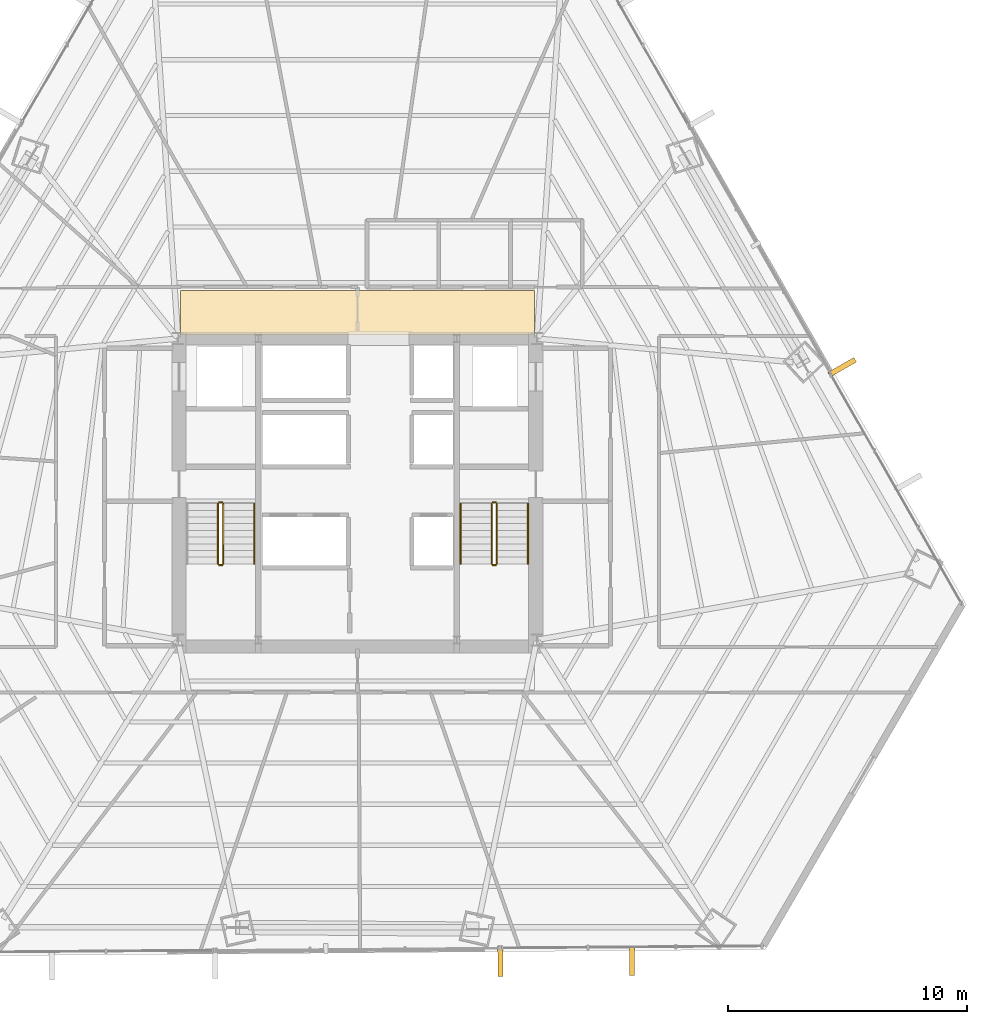
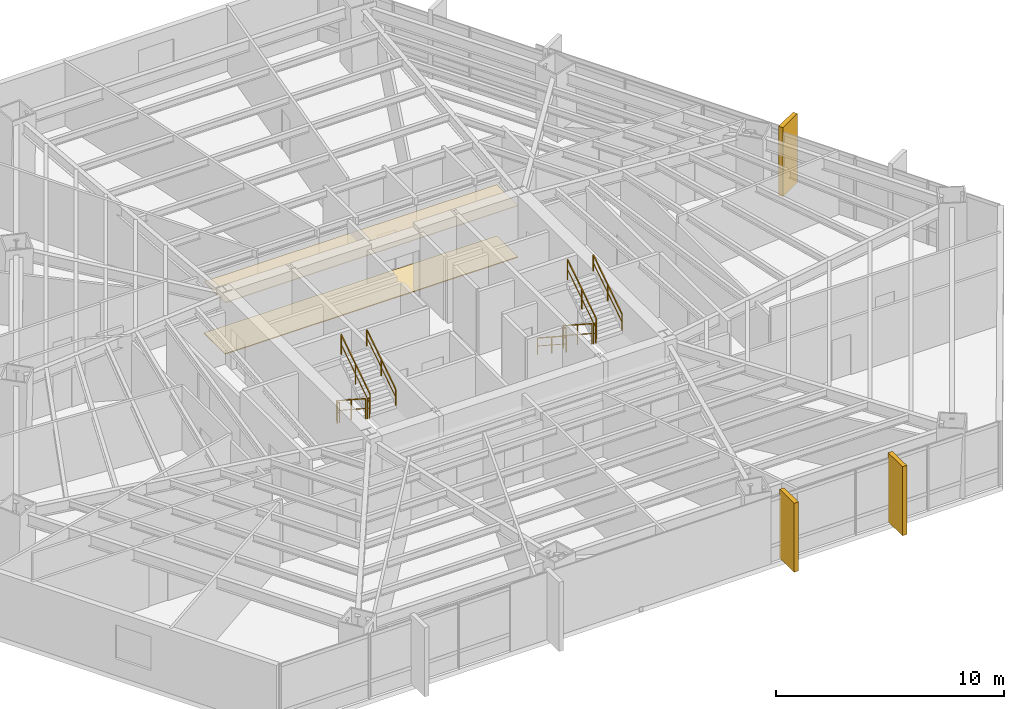
# One storey, part 34 of 35: 11 railings, 5 coverings.
"""IFC4 building model written with IfcOpenShell, lengths in metres."""

from ifc_helpers import new_model, si_unit, direction, frame, origin, origin_2d, place, context, subcontext, project, spatial, polyline, rectangle, outline, extrude, source, transform, mapped, material, layer, layer_set, type_object, type_shapes, element, save


model = new_model("IFC4")

# Units and contexts
model_context = context("Model", 3, precision=1e-05, world=origin(), true_north=direction((0.0, 1.0)))
body_context = subcontext(model_context, "Body", "Model", "MODEL_VIEW")
ifc_project = project(units=[si_unit("LENGTHUNIT", "METRE"), si_unit("AREAUNIT", "SQUARE_METRE"), si_unit("VOLUMEUNIT", "CUBIC_METRE"), si_unit("PLANEANGLEUNIT", "RADIAN"), si_unit("MASSUNIT", "GRAM", prefix="KILO")], contexts=[model_context])

# Site, building, storey
site_placement = place(None, origin())
site = spatial("IfcSite", under=ifc_project, at=site_placement, CompositionType="ELEMENT")
building_placement = place(site_placement, origin())
building = spatial("IfcBuilding", under=site, at=building_placement, Name="Caelisora Broadcast Tower", CompositionType="ELEMENT")
storey_placement = place(building_placement, frame((0.0, 0.0, 53.14990234375)))
storey = spatial("IfcBuildingStorey", under=building, at=storey_placement, Name="L13", CompositionType="ELEMENT", Elevation=53.14990234375)

# Coverings
ifc_material_1 = material(Name="Perforated Mineral-Fibre Acoustic Ceiling Tile", Category="gypsum")
ifc_layer_1 = layer(ifc_material_1, 0.034912109375, Name="Perforated Mineral-Fibre Acoustic Ceiling Tile")
ifc_layer_set_1 = layer_set([ifc_layer_1], Name="Perforated Mineral-Fibre Acoustic Ceiling Tile")
covering_type_1 = type_object("IfcCoveringType", Name="CE-1", PredefinedType="CEILING", material=ifc_layer_set_1)
covering_1_placement = place(storey_placement, frame((0.0, 0.0, 2.75)))
element("IfcCovering", 1, at=covering_1_placement, inside=storey, type_object=covering_type_1, Name="L13 acoustic corridor ceiling CE-1 (N)", PredefinedType="CEILING", context=body_context, shape_type="SweptSolid", body=[
    extrude(outline(polyline([(30.60009765625, 30.14990234375), (45.39990234375, 30.14990234375), (45.39990234375, 32.0), (30.60009765625, 32.0), (30.60009765625, 30.14990234375)])), origin(), (0.0, 0.0, 1.0), 0.03515625),
])
ifc_material_2 = material(Name="Anti-Static Broadcast Raised Access Floor Panel", Category="steel")
ifc_layer_2 = layer(ifc_material_2, 0.044921875, Name="Anti-Static Broadcast Raised Access Floor Panel")
ifc_layer_set_2 = layer_set([ifc_layer_2], Name="Anti-Static Broadcast Raised Access Floor Panel")
covering_type_2 = type_object("IfcCoveringType", Name="FL-1", PredefinedType="FLOORING", material=ifc_layer_set_2)
covering_2_placement = place(storey_placement, origin())
element("IfcCovering", 2, at=covering_2_placement, inside=storey, type_object=covering_type_2, Name="L13 broadcast raised access floor FL-1 (N)", PredefinedType="FLOORING", context=body_context, shape_type="SweptSolid", body=[
    extrude(outline(polyline([(30.60009765625, 30.14990234375), (45.39990234375, 30.14990234375), (45.39990234375, 32.0), (30.60009765625, 32.0), (30.60009765625, 30.14990234375)])), origin(), (0.0, 0.0, 1.0), 0.045166015625),
])

# Railings
ifc_material_3 = material(Name="Galvanised Steel Safety Guardrail", Category="steel")
ifc_layer_3 = layer(ifc_material_3, 0.048095703125, Name="Galvanised Steel Safety Guardrail")
ifc_layer_set_3 = layer_set([ifc_layer_3], Name="Galvanised Steel Safety Guardrail")
railing_type_1 = type_object("IfcRailingType", Name="GR-1", PredefinedType="GUARDRAIL", material=ifc_layer_set_3)
railing_1_placement = place(storey_placement, frame((32.169921875, 23.10009765625, 0.1826171875)))
element("IfcRailing", 3, at=railing_1_placement, inside=storey, type_object=railing_type_1, Name="L13 ST-1 stair guard 1", PredefinedType="GUARDRAIL", context=body_context, shape_type="SweptSolid", body=[
    extrude(rectangle(XDim=0.048095703125, YDim=0.048095703125, at=origin_2d()), frame((0.0, 0.0, 1.076171875), z_axis=(0.0, -0.837749427056, 0.546054848405), x_axis=(1.0, 0.0, 0.0)), (0.0, 0.0, 1.0), 3.008056640625),
    extrude(rectangle(XDim=0.03125, YDim=0.03125, at=origin_2d()), frame((0.0, 0.0, 0.550048828125), z_axis=(0.0, -0.837749427056, 0.546054848405), x_axis=(1.0, 0.0, 0.0)), (0.0, 0.0, 1.0), 3.008056640625),
    extrude(rectangle(XDim=0.0419921875, YDim=0.0419921875, at=origin_2d()), origin(), (0.0, 0.0, 1.0), 1.052001953125),
    extrude(rectangle(XDim=0.0419921875, YDim=0.0419921875, at=origin_2d()), frame((0.0, -1.260009765625, 0.8212890625)), (0.0, 0.0, 1.0), 1.052001953125),
    extrude(rectangle(XDim=0.0419921875, YDim=0.0419921875, at=origin_2d()), frame((0.0, -2.52001953125, 1.642578125)), (0.0, 0.0, 1.0), 1.052001953125),
])
railing_2_placement = place(storey_placement, frame((32.219970703125, 20.530029296875, 1.8251953125)))
element("IfcRailing", 4, at=railing_2_placement, inside=storey, type_object=railing_type_1, Name="L13 ST-1 stair guard 2", PredefinedType="GUARDRAIL", context=body_context, shape_type="SweptSolid", body=[
    extrude(rectangle(XDim=0.048095703125, YDim=0.048095703125, at=origin_2d()), frame((0.0, 0.0, 1.076171875), z_axis=(1.0, 0.0, 0.0), x_axis=(0.0, 1.0, 0.0)), (0.0, 0.0, 1.0), 0.1201171875),
    extrude(rectangle(XDim=0.03125, YDim=0.03125, at=origin_2d()), frame((0.0, 0.0, 0.550048828125), z_axis=(1.0, 0.0, 0.0), x_axis=(0.0, 1.0, 0.0)), (0.0, 0.0, 1.0), 0.1201171875),
    extrude(rectangle(XDim=0.0419921875, YDim=0.0419921875, at=origin_2d()), origin(), (0.0, 0.0, 1.0), 1.052001953125),
    extrude(rectangle(XDim=0.0419921875, YDim=0.0419921875, at=origin_2d()), frame((0.1201171875, 0.0, 0.0)), (0.0, 0.0, 1.0), 1.052001953125),
])
railing_3_placement = place(storey_placement, frame((32.389892578125, 20.580078125, 2.007568359375)))
element("IfcRailing", 5, at=railing_3_placement, inside=storey, type_object=railing_type_1, Name="L13 ST-1 stair guard 3", PredefinedType="GUARDRAIL", context=body_context, shape_type="SweptSolid", body=[
    extrude(rectangle(XDim=0.048095703125, YDim=0.048095703125, at=origin_2d()), frame((0.0, 0.0, 1.076171875), z_axis=(0.0, 0.837749427056, 0.546054848405), x_axis=(-1.0, 0.0, 0.0)), (0.0, 0.0, 1.0), 3.008056640625),
    extrude(rectangle(XDim=0.03125, YDim=0.03125, at=origin_2d()), frame((0.0, 0.0, 0.550048828125), z_axis=(0.0, 0.837749427056, 0.546054848405), x_axis=(-1.0, 0.0, 0.0)), (0.0, 0.0, 1.0), 3.008056640625),
    extrude(rectangle(XDim=0.0419921875, YDim=0.0419921875, at=origin_2d()), origin(), (0.0, 0.0, 1.0), 1.052001953125),
    extrude(rectangle(XDim=0.0419921875, YDim=0.0419921875, at=origin_2d()), frame((0.0, 1.260009765625, 0.8212890625)), (0.0, 0.0, 1.0), 1.052001953125),
    extrude(rectangle(XDim=0.0419921875, YDim=0.0419921875, at=origin_2d()), frame((0.0, 2.52001953125, 1.642578125)), (0.0, 0.0, 1.0), 1.052001953125),
])
railing_4_placement = place(storey_placement, frame((32.219970703125, 23.14990234375, 0.0)))
element("IfcRailing", 6, at=railing_4_placement, inside=storey, type_object=railing_type_1, Name="L13 ST-1 stair guard 4", PredefinedType="GUARDRAIL", context=body_context, shape_type="SweptSolid", body=[
    extrude(rectangle(XDim=0.048095703125, YDim=0.048095703125, at=origin_2d()), frame((0.0, 0.0, 1.076171875), z_axis=(1.0, 0.0, 0.0), x_axis=(0.0, 1.0, 0.0)), (0.0, 0.0, 1.0), 0.1201171875),
    extrude(rectangle(XDim=0.03125, YDim=0.03125, at=origin_2d()), frame((0.0, 0.0, 0.550048828125), z_axis=(1.0, 0.0, 0.0), x_axis=(0.0, 1.0, 0.0)), (0.0, 0.0, 1.0), 0.1201171875),
    extrude(rectangle(XDim=0.0419921875, YDim=0.0419921875, at=origin_2d()), origin(), (0.0, 0.0, 1.0), 1.052001953125),
    extrude(rectangle(XDim=0.0419921875, YDim=0.0419921875, at=origin_2d()), frame((0.1201171875, 0.0, 0.0)), (0.0, 0.0, 1.0), 1.052001953125),
])
railing_5_placement = place(storey_placement, frame((43.610107421875, 23.10009765625, 0.1826171875)))
element("IfcRailing", 7, at=railing_5_placement, inside=storey, type_object=railing_type_1, Name="L13 ST-2 stair guard 1", PredefinedType="GUARDRAIL", context=body_context, shape_type="SweptSolid", body=[
    extrude(rectangle(XDim=0.048095703125, YDim=0.048095703125, at=origin_2d()), frame((0.0, 0.0, 1.076171875), z_axis=(0.0, -0.837749427056, 0.546054848405), x_axis=(1.0, 0.0, 0.0)), (0.0, 0.0, 1.0), 3.008056640625),
    extrude(rectangle(XDim=0.03125, YDim=0.03125, at=origin_2d()), frame((0.0, 0.0, 0.550048828125), z_axis=(0.0, -0.837749427056, 0.546054848405), x_axis=(1.0, 0.0, 0.0)), (0.0, 0.0, 1.0), 3.008056640625),
    extrude(rectangle(XDim=0.0419921875, YDim=0.0419921875, at=origin_2d()), origin(), (0.0, 0.0, 1.0), 1.052001953125),
    extrude(rectangle(XDim=0.0419921875, YDim=0.0419921875, at=origin_2d()), frame((0.0, -1.260009765625, 0.8212890625)), (0.0, 0.0, 1.0), 1.052001953125),
    extrude(rectangle(XDim=0.0419921875, YDim=0.0419921875, at=origin_2d()), frame((0.0, -2.52001953125, 1.642578125)), (0.0, 0.0, 1.0), 1.052001953125),
])
railing_6_placement = place(storey_placement, frame((43.659912109375, 20.530029296875, 1.8251953125)))
element("IfcRailing", 8, at=railing_6_placement, inside=storey, type_object=railing_type_1, Name="L13 ST-2 stair guard 2", PredefinedType="GUARDRAIL", context=body_context, shape_type="SweptSolid", body=[
    extrude(rectangle(XDim=0.048095703125, YDim=0.048095703125, at=origin_2d()), frame((0.0, 0.0, 1.076171875), z_axis=(1.0, 0.0, 0.0), x_axis=(0.0, 1.0, 0.0)), (0.0, 0.0, 1.0), 0.1201171875),
    extrude(rectangle(XDim=0.03125, YDim=0.03125, at=origin_2d()), frame((0.0, 0.0, 0.550048828125), z_axis=(1.0, 0.0, 0.0), x_axis=(0.0, 1.0, 0.0)), (0.0, 0.0, 1.0), 0.1201171875),
    extrude(rectangle(XDim=0.0419921875, YDim=0.0419921875, at=origin_2d()), origin(), (0.0, 0.0, 1.0), 1.052001953125),
    extrude(rectangle(XDim=0.0419921875, YDim=0.0419921875, at=origin_2d()), frame((0.1201171875, 0.0, 0.0)), (0.0, 0.0, 1.0), 1.052001953125),
])
railing_7_placement = place(storey_placement, frame((43.830078125, 20.580078125, 2.007568359375)))
element("IfcRailing", 9, at=railing_7_placement, inside=storey, type_object=railing_type_1, Name="L13 ST-2 stair guard 3", PredefinedType="GUARDRAIL", context=body_context, shape_type="SweptSolid", body=[
    extrude(rectangle(XDim=0.048095703125, YDim=0.048095703125, at=origin_2d()), frame((0.0, 0.0, 1.076171875), z_axis=(0.0, 0.837749427056, 0.546054848405), x_axis=(-1.0, 0.0, 0.0)), (0.0, 0.0, 1.0), 3.008056640625),
    extrude(rectangle(XDim=0.03125, YDim=0.03125, at=origin_2d()), frame((0.0, 0.0, 0.550048828125), z_axis=(0.0, 0.837749427056, 0.546054848405), x_axis=(-1.0, 0.0, 0.0)), (0.0, 0.0, 1.0), 3.008056640625),
    extrude(rectangle(XDim=0.0419921875, YDim=0.0419921875, at=origin_2d()), origin(), (0.0, 0.0, 1.0), 1.052001953125),
    extrude(rectangle(XDim=0.0419921875, YDim=0.0419921875, at=origin_2d()), frame((0.0, 1.260009765625, 0.8212890625)), (0.0, 0.0, 1.0), 1.052001953125),
    extrude(rectangle(XDim=0.0419921875, YDim=0.0419921875, at=origin_2d()), frame((0.0, 2.52001953125, 1.642578125)), (0.0, 0.0, 1.0), 1.052001953125),
])
railing_8_placement = place(storey_placement, frame((43.659912109375, 23.14990234375, 0.0)))
element("IfcRailing", 10, at=railing_8_placement, inside=storey, type_object=railing_type_1, Name="L13 ST-2 stair guard 4", PredefinedType="GUARDRAIL", context=body_context, shape_type="SweptSolid", body=[
    extrude(rectangle(XDim=0.048095703125, YDim=0.048095703125, at=origin_2d()), frame((0.0, 0.0, 1.076171875), z_axis=(1.0, 0.0, 0.0), x_axis=(0.0, 1.0, 0.0)), (0.0, 0.0, 1.0), 0.1201171875),
    extrude(rectangle(XDim=0.03125, YDim=0.03125, at=origin_2d()), frame((0.0, 0.0, 0.550048828125), z_axis=(1.0, 0.0, 0.0), x_axis=(0.0, 1.0, 0.0)), (0.0, 0.0, 1.0), 0.1201171875),
    extrude(rectangle(XDim=0.0419921875, YDim=0.0419921875, at=origin_2d()), origin(), (0.0, 0.0, 1.0), 1.052001953125),
    extrude(rectangle(XDim=0.0419921875, YDim=0.0419921875, at=origin_2d()), frame((0.1201171875, 0.0, 0.0)), (0.0, 0.0, 1.0), 1.052001953125),
])
ifc_material_4 = material(Name="Stainless Steel Grade 316 Tubular Handrail", Category="steel")
ifc_layer_4 = layer(ifc_material_4, 0.048095703125, Name="Stainless Steel Grade 316 Tubular Handrail")
ifc_layer_set_4 = layer_set([ifc_layer_4], Name="Stainless Steel Grade 316 Tubular Handrail")
railing_type_2 = type_object("IfcRailingType", Name="HR-1", PredefinedType="HANDRAIL", material=ifc_layer_set_4)
railing_9_placement = place(storey_placement, frame((33.68994140625, 20.580078125, 2.007568359375)))
element("IfcRailing", 11, at=railing_9_placement, inside=storey, type_object=railing_type_2, Name="L13 ST-1 stair handrail 2", PredefinedType="HANDRAIL", context=body_context, shape_type="SweptSolid", body=[
    extrude(rectangle(XDim=0.048095703125, YDim=0.048095703125, at=origin_2d()), frame((0.0, 0.0, 0.8759765625), z_axis=(0.0, 0.837749427056, 0.546054848405), x_axis=(-1.0, 0.0, 0.0)), (0.0, 0.0, 1.0), 3.008056640625),
    extrude(rectangle(XDim=0.03125, YDim=0.03125, at=origin_2d()), frame((0.0, 0.0, 0.449951171875), z_axis=(0.0, 0.837749427056, 0.546054848405), x_axis=(-1.0, 0.0, 0.0)), (0.0, 0.0, 1.0), 3.008056640625),
    extrude(rectangle(XDim=0.0419921875, YDim=0.0419921875, at=origin_2d()), origin(), (0.0, 0.0, 1.0), 0.851806640625),
    extrude(rectangle(XDim=0.0419921875, YDim=0.0419921875, at=origin_2d()), frame((0.0, 1.260009765625, 0.8212890625)), (0.0, 0.0, 1.0), 0.851806640625),
    extrude(rectangle(XDim=0.0419921875, YDim=0.0419921875, at=origin_2d()), frame((0.0, 2.52001953125, 1.642578125)), (0.0, 0.0, 1.0), 0.851806640625),
])
railing_10_placement = place(storey_placement, frame((42.31005859375, 23.10009765625, 0.1826171875)))
element("IfcRailing", 12, at=railing_10_placement, inside=storey, type_object=railing_type_2, Name="L13 ST-2 stair handrail 1", PredefinedType="HANDRAIL", context=body_context, shape_type="SweptSolid", body=[
    extrude(rectangle(XDim=0.048095703125, YDim=0.048095703125, at=origin_2d()), frame((0.0, 0.0, 0.8759765625), z_axis=(0.0, -0.837749427056, 0.546054848405), x_axis=(1.0, 0.0, 0.0)), (0.0, 0.0, 1.0), 3.008056640625),
    extrude(rectangle(XDim=0.03125, YDim=0.03125, at=origin_2d()), frame((0.0, 0.0, 0.449951171875), z_axis=(0.0, -0.837749427056, 0.546054848405), x_axis=(1.0, 0.0, 0.0)), (0.0, 0.0, 1.0), 3.008056640625),
    extrude(rectangle(XDim=0.0419921875, YDim=0.0419921875, at=origin_2d()), origin(), (0.0, 0.0, 1.0), 0.851806640625),
    extrude(rectangle(XDim=0.0419921875, YDim=0.0419921875, at=origin_2d()), frame((0.0, -1.260009765625, 0.8212890625)), (0.0, 0.0, 1.0), 0.851806640625),
    extrude(rectangle(XDim=0.0419921875, YDim=0.0419921875, at=origin_2d()), frame((0.0, -2.52001953125, 1.642578125)), (0.0, 0.0, 1.0), 0.851806640625),
])
railing_11_placement = place(storey_placement, frame((45.1298828125, 20.580078125, 2.007568359375)))
element("IfcRailing", 13, at=railing_11_placement, inside=storey, type_object=railing_type_2, Name="L13 ST-2 stair handrail 2", PredefinedType="HANDRAIL", context=body_context, shape_type="SweptSolid", body=[
    extrude(rectangle(XDim=0.048095703125, YDim=0.048095703125, at=origin_2d()), frame((0.0, 0.0, 0.8759765625), z_axis=(0.0, 0.837749427056, 0.546054848405), x_axis=(-1.0, 0.0, 0.0)), (0.0, 0.0, 1.0), 3.008056640625),
    extrude(rectangle(XDim=0.03125, YDim=0.03125, at=origin_2d()), frame((0.0, 0.0, 0.449951171875), z_axis=(0.0, 0.837749427056, 0.546054848405), x_axis=(-1.0, 0.0, 0.0)), (0.0, 0.0, 1.0), 3.008056640625),
    extrude(rectangle(XDim=0.0419921875, YDim=0.0419921875, at=origin_2d()), origin(), (0.0, 0.0, 1.0), 0.851806640625),
    extrude(rectangle(XDim=0.0419921875, YDim=0.0419921875, at=origin_2d()), frame((0.0, 1.260009765625, 0.8212890625)), (0.0, 0.0, 1.0), 0.851806640625),
    extrude(rectangle(XDim=0.0419921875, YDim=0.0419921875, at=origin_2d()), frame((0.0, 2.52001953125, 1.642578125)), (0.0, 0.0, 1.0), 0.851806640625),
])

# Coverings
ifc_material_5 = material(Name="Kiln-Fired Terracotta Spandrel Rainscreen Cladding", Category="ceramic")
ifc_layer_5 = layer(ifc_material_5, 0.044921875, Name="Kiln-Fired Terracotta Spandrel Rainscreen Cladding")
ifc_layer_set_5 = layer_set([ifc_layer_5], Name="Kiln-Fired Terracotta Spandrel Rainscreen Cladding")
covering_type_3 = type_object("IfcCoveringType", Name="CL-1", PredefinedType="CLADDING", material=ifc_layer_set_5)
shared_shape = source(origin(), body_context, "Body", "SweptSolid", [
    extrude(rectangle(XDim=0.219970703125, YDim=1.25, at=origin_2d()), origin(), (0.0, 0.0, 1.0), 3.68994140625),
])
type_shapes(covering_type_3, [shared_shape])
for number, where, z_axis, x_axis, name in (
    (14, (58.2666015625, 28.803955078125, -0.019775390625), (0.0, 0.0, 1.0), (0.496064966839, -0.868285407383, 0.0), "L13 vertical solar fin cladding #1-3"),
    (15, (49.477294921875, 3.99755859375, -0.019775390625), (0.0, 0.0, 1.0), (-0.999969157645, -0.007853900889, 0.0), "L13 vertical solar fin cladding #2-1"),
    (16, (43.977783203125, 3.9541015625, -0.019775390625), (0.0, 0.0, 1.0), (-0.999969157645, -0.007853900889, 0.0), "L13 vertical solar fin cladding #2-2"),
):
    element("IfcCovering", number, at=place(storey_placement, frame(where, z_axis=z_axis, x_axis=x_axis)), inside=storey, type_object=covering_type_3, Name=name, PredefinedType="CLADDING", context=body_context, shape_type="MappedRepresentation", body=[
        mapped(shared_shape, transform((0.0, 0.0, 0.0), scale=1.0)),
    ])

save(model, "model.ifc")
